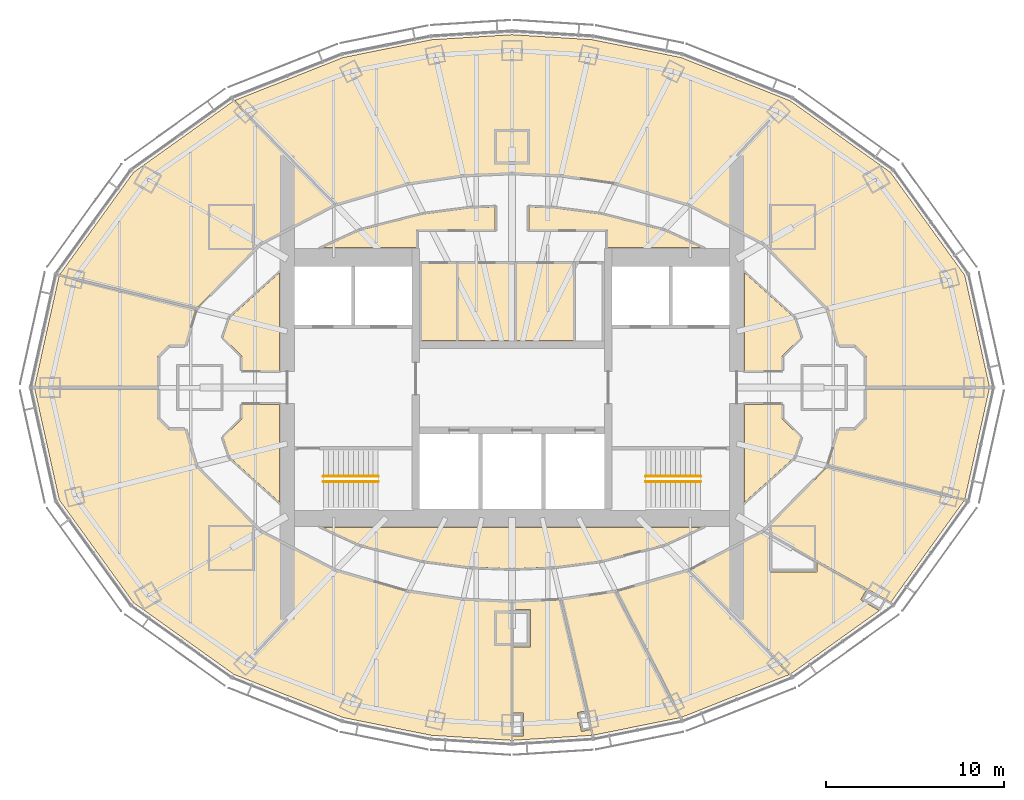
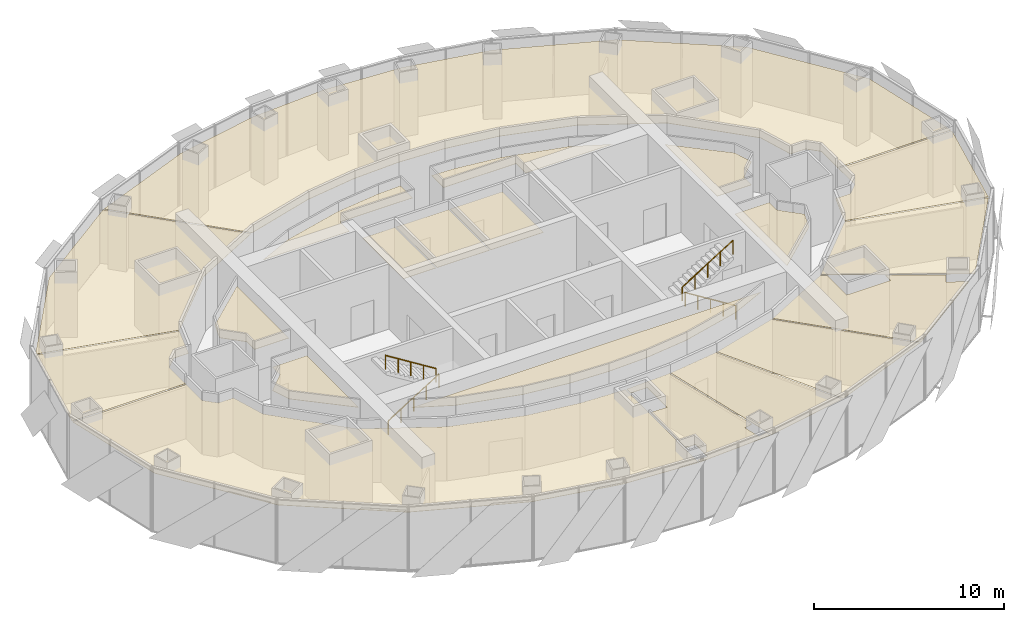
# One storey, part 17 of 17: 20 coverings, 4 railings.
"""IFC4 building model written with IfcOpenShell, lengths in metres."""

from ifc_helpers import new_model, si_unit, direction, frame, origin, origin_2d, place, context, subcontext, project, spatial, polyline, circle, outline, extrude, material, layer, layer_set, type_object, element, save


model = new_model("IFC4")

# Units and contexts
model_context = context("Model", 3, precision=1e-05, world=origin(), true_north=direction((0.0, 1.0)))
body_context = subcontext(model_context, "Body", "Model", "MODEL_VIEW")
ifc_project = project(units=[si_unit("LENGTHUNIT", "METRE"), si_unit("AREAUNIT", "SQUARE_METRE"), si_unit("VOLUMEUNIT", "CUBIC_METRE"), si_unit("PLANEANGLEUNIT", "RADIAN"), si_unit("MASSUNIT", "GRAM", prefix="KILO")], contexts=[model_context])

# Site, building, storey
site_placement = place(None, origin())
site = spatial("IfcSite", under=ifc_project, at=site_placement, CompositionType="ELEMENT")
building_placement = place(site_placement, origin())
building = spatial("IfcBuilding", under=site, at=building_placement, Name="Lantaw Convention Tower", CompositionType="ELEMENT")
storey_placement = place(building_placement, frame((0.0, 0.0, 215.800048828125)))
storey = spatial("IfcBuildingStorey", under=building, at=storey_placement, Name="L50", CompositionType="ELEMENT", Elevation=215.800048828125)

# Railings
ifc_material_1 = material(Name="Stainless steel", Category="steel")
railing_type = type_object("IfcRailingType", Name="Stair handrail", PredefinedType="HANDRAIL", material=ifc_material_1)
railing_1_placement = place(storey_placement, frame((-10.580078125, -5.280029296875, 0.175048828125)))
element("IfcRailing", 1, at=railing_1_placement, inside=storey, type_object=railing_type, Name="Stair handrail S1", PredefinedType="HANDRAIL", context=body_context, shape_type="SweptSolid", body=[
    extrude(circle(Radius=0.02392578125, at=origin_2d()), frame((0.0, 0.0, 0.8759765625), z_axis=(0.848028513186, 0.0, 0.529950602248), x_axis=(0.0, 1.0, 0.0)), (0.0, 0.0, 1.0), 3.632080078125),
    extrude(circle(Radius=0.02099609375, at=origin_2d()), origin(), (0.0, 0.0, 1.0), 0.851806640625),
    extrude(circle(Radius=0.02099609375, at=origin_2d()), frame((0.77001953125, 0.0, 0.481201171875)), (0.0, 0.0, 1.0), 0.851806640625),
    extrude(circle(Radius=0.02099609375, at=origin_2d()), frame((1.5400390625, 0.0, 0.96240234375)), (0.0, 0.0, 1.0), 0.851806640625),
    extrude(circle(Radius=0.02099609375, at=origin_2d()), frame((2.31005859375, 0.0, 1.443603515625)), (0.0, 0.0, 1.0), 0.851806640625),
    extrude(circle(Radius=0.02099609375, at=origin_2d()), frame((3.080078125, 0.0, 1.9248046875)), (0.0, 0.0, 1.0), 0.851806640625),
])
railing_2_placement = place(storey_placement, frame((-7.5, -4.97998046875, 2.27490234375)))
element("IfcRailing", 2, at=railing_2_placement, inside=storey, type_object=railing_type, Name="Stair handrail S1", PredefinedType="HANDRAIL", context=body_context, shape_type="SweptSolid", body=[
    extrude(circle(Radius=0.02392578125, at=origin_2d()), frame((0.0, 0.0, 0.8759765625), z_axis=(-0.847998304005, 0.0, 0.529998940003), x_axis=(0.0, -1.0, 0.0)), (0.0, 0.0, 1.0), 3.632080078125),
    extrude(circle(Radius=0.02099609375, at=origin_2d()), origin(), (0.0, 0.0, 1.0), 0.851806640625),
    extrude(circle(Radius=0.02099609375, at=origin_2d()), frame((-0.77001953125, 0.0, 0.481201171875)), (0.0, 0.0, 1.0), 0.851806640625),
    extrude(circle(Radius=0.02099609375, at=origin_2d()), frame((-1.5400390625, 0.0, 0.96240234375)), (0.0, 0.0, 1.0), 0.851806640625),
    extrude(circle(Radius=0.02099609375, at=origin_2d()), frame((-2.31005859375, 0.0, 1.44384765625)), (0.0, 0.0, 1.0), 0.851806640625),
    extrude(circle(Radius=0.02099609375, at=origin_2d()), frame((-3.080078125, 0.0, 1.925048828125)), (0.0, 0.0, 1.0), 0.851806640625),
])
railing_3_placement = place(storey_placement, frame((10.580078125, -5.280029296875, 0.175048828125)))
element("IfcRailing", 3, at=railing_3_placement, inside=storey, type_object=railing_type, Name="Stair handrail S2", PredefinedType="HANDRAIL", context=body_context, shape_type="SweptSolid", body=[
    extrude(circle(Radius=0.02392578125, at=origin_2d()), frame((0.0, 0.0, 0.8759765625), z_axis=(-0.848028513186, 0.0, 0.529950602248), x_axis=(0.0, -1.0, 0.0)), (0.0, 0.0, 1.0), 3.632080078125),
    extrude(circle(Radius=0.02099609375, at=origin_2d()), origin(), (0.0, 0.0, 1.0), 0.851806640625),
    extrude(circle(Radius=0.02099609375, at=origin_2d()), frame((-0.77001953125, 0.0, 0.481201171875)), (0.0, 0.0, 1.0), 0.851806640625),
    extrude(circle(Radius=0.02099609375, at=origin_2d()), frame((-1.5400390625, 0.0, 0.96240234375)), (0.0, 0.0, 1.0), 0.851806640625),
    extrude(circle(Radius=0.02099609375, at=origin_2d()), frame((-2.31005859375, 0.0, 1.443603515625)), (0.0, 0.0, 1.0), 0.851806640625),
    extrude(circle(Radius=0.02099609375, at=origin_2d()), frame((-3.080078125, 0.0, 1.9248046875)), (0.0, 0.0, 1.0), 0.851806640625),
])
railing_4_placement = place(storey_placement, frame((7.5, -4.97998046875, 2.27490234375)))
element("IfcRailing", 4, at=railing_4_placement, inside=storey, type_object=railing_type, Name="Stair handrail S2", PredefinedType="HANDRAIL", context=body_context, shape_type="SweptSolid", body=[
    extrude(circle(Radius=0.02392578125, at=origin_2d()), frame((0.0, 0.0, 0.8759765625), z_axis=(0.847998304005, 0.0, 0.529998940003), x_axis=(0.0, 1.0, 0.0)), (0.0, 0.0, 1.0), 3.632080078125),
    extrude(circle(Radius=0.02099609375, at=origin_2d()), origin(), (0.0, 0.0, 1.0), 0.851806640625),
    extrude(circle(Radius=0.02099609375, at=origin_2d()), frame((0.77001953125, 0.0, 0.481201171875)), (0.0, 0.0, 1.0), 0.851806640625),
    extrude(circle(Radius=0.02099609375, at=origin_2d()), frame((1.5400390625, 0.0, 0.96240234375)), (0.0, 0.0, 1.0), 0.851806640625),
    extrude(circle(Radius=0.02099609375, at=origin_2d()), frame((2.31005859375, 0.0, 1.44384765625)), (0.0, 0.0, 1.0), 0.851806640625),
    extrude(circle(Radius=0.02099609375, at=origin_2d()), frame((3.080078125, 0.0, 1.925048828125)), (0.0, 0.0, 1.0), 0.851806640625),
])

# Coverings
ifc_material_2 = material(Name="Gypsum board on steel suspension grid", Category="steel")
ifc_layer = layer(ifc_material_2, 0.02001953125)
ifc_layer_set = layer_set([ifc_layer], Name="Suspended ceiling")
covering_type = type_object("IfcCoveringType", Name="Suspended ceiling", PredefinedType="CEILING", material=ifc_layer_set)
covering_1_placement = place(storey_placement, frame((0.0, 0.0, 3.449951171875)))
element("IfcCovering", 5, at=covering_1_placement, inside=storey, type_object=covering_type, Name="Accessible WC ceiling", PredefinedType="CEILING", context=body_context, shape_type="SweptSolid", body=[
    extrude(outline(polyline([(-5.080078125, 2.639892578125), (-3.112060546875, 2.639892578125), (-3.112060546875, 6.9599609375), (-5.080078125, 6.9599609375), (-5.080078125, 2.639892578125)])), origin(), (0.0, 0.0, 1.0), 0.02001953125),
])
covering_2_placement = place(storey_placement, frame((0.0, 0.0, 3.449951171875)))
element("IfcCovering", 6, at=covering_2_placement, inside=storey, type_object=covering_type, Name="Male WC ceiling", PredefinedType="CEILING", context=body_context, shape_type="SweptSolid", body=[
    extrude(outline(polyline([(-3.031982421875, 2.639892578125), (0.164794921875, 2.639892578125), (0.164794921875, 6.9599609375), (-3.031982421875, 6.9599609375), (-3.031982421875, 2.639892578125)])), origin(), (0.0, 0.0, 1.0), 0.02001953125),
])
covering_3_placement = place(storey_placement, frame((0.0, 0.0, 3.449951171875)))
element("IfcCovering", 7, at=covering_3_placement, inside=storey, type_object=covering_type, Name="Female WC ceiling", PredefinedType="CEILING", context=body_context, shape_type="SweptSolid", body=[
    extrude(outline(polyline([(0.244873046875, 2.639892578125), (3.441650390625, 2.639892578125), (3.441650390625, 6.9599609375), (0.244873046875, 6.9599609375), (0.244873046875, 2.639892578125)])), origin(), (0.0, 0.0, 1.0), 0.02001953125),
])
covering_4_placement = place(storey_placement, frame((0.0, 0.0, 3.449951171875)))
element("IfcCovering", 8, at=covering_4_placement, inside=storey, type_object=covering_type, Name="Meeting room ceiling", PredefinedType="CEILING", context=body_context, shape_type="SweptSolid", body=[
    extrude(outline(polyline([(-16.20556640625, -2.80029296875), (-15.821044921875, -3.930419921875), (-13.0400390625, -6.4345703125), (-13.0400390625, -0.93994140625), (-15.135009765625, -0.93994140625), (-15.135009765625, -1.7412109375), (-15.7587890625, -2.364990234375), (-15.77099609375, -2.364990234375), (-16.20556640625, -2.80029296875)])), origin(), (0.0, 0.0, 1.0), 0.02001953125),
])
covering_5_placement = place(storey_placement, frame((0.0, 0.0, 3.449951171875)))
element("IfcCovering", 9, at=covering_5_placement, inside=storey, type_object=covering_type, Name="Project room ceiling", PredefinedType="CEILING", context=body_context, shape_type="SweptSolid", body=[
    extrude(outline(polyline([(10.640380859375, -7.840087890625), (-10.640380859375, -7.840087890625), (-8.5341796875, -8.8134765625), (-4.967529296875, -9.724609375), (-2.32958984375, -10.06591796875), (0.0, -10.159912109375), (2.32958984375, -10.06591796875), (4.967529296875, -9.724609375), (8.5341796875, -8.8134765625), (10.640380859375, -7.840087890625)])), origin(), (0.0, 0.0, 1.0), 0.02001953125),
])
covering_6_placement = place(storey_placement, frame((0.0, 0.0, 3.449951171875)))
element("IfcCovering", 10, at=covering_6_placement, inside=storey, type_object=covering_type, Name="Tenant storage room ceiling", PredefinedType="CEILING", context=body_context, shape_type="SweptSolid", body=[
    extrude(outline(polyline([(15.135009765625, -1.7412109375), (15.135009765625, -0.93994140625), (13.0400390625, -0.93994140625), (13.0400390625, -6.4345703125), (15.821044921875, -3.930419921875), (16.20556640625, -2.80029296875), (15.77099609375, -2.364990234375), (15.7587890625, -2.364990234375), (15.135009765625, -1.7412109375)])), origin(), (0.0, 0.0, 1.0), 0.02001953125),
])
covering_7_placement = place(storey_placement, frame((0.0, 0.0, 3.449951171875)))
element("IfcCovering", 11, at=covering_7_placement, inside=storey, type_object=covering_type, Name="Meeting room ceiling", PredefinedType="CEILING", context=body_context, shape_type="SweptSolid", body=[
    extrude(outline(polyline([(15.77099609375, 2.364990234375), (16.20556640625, 2.80029296875), (15.821044921875, 3.930419921875), (13.0400390625, 6.4345703125), (13.0400390625, 0.93994140625), (15.135009765625, 0.93994140625), (15.135009765625, 1.7412109375), (15.7587890625, 2.364990234375), (15.77099609375, 2.364990234375)])), origin(), (0.0, 0.0, 1.0), 0.02001953125),
])
covering_8_placement = place(storey_placement, frame((0.0, 0.0, 3.449951171875)))
element("IfcCovering", 12, at=covering_8_placement, inside=storey, type_object=covering_type, Name="Copy and print room ceiling", PredefinedType="CEILING", context=body_context, shape_type="SweptSolid", body=[
    extrude(outline(polyline([(5.360107421875, 7.840087890625), (10.640380859375, 7.840087890625), (8.5341796875, 8.8134765625), (4.967529296875, 9.724609375), (2.32958984375, 10.06591796875), (0.93994140625, 10.1220703125), (0.93994140625, 8.840087890625), (5.360107421875, 8.840087890625), (5.360107421875, 7.840087890625)])), origin(), (0.0, 0.0, 1.0), 0.02001953125),
])
covering_9_placement = place(storey_placement, frame((0.0, 0.0, 3.449951171875)))
element("IfcCovering", 13, at=covering_9_placement, inside=storey, type_object=covering_type, Name="Project room ceiling", PredefinedType="CEILING", context=body_context, shape_type="SweptSolid", body=[
    extrude(outline(polyline([(-10.640380859375, 7.840087890625), (-5.360107421875, 7.840087890625), (-5.360107421875, 8.840087890625), (-0.93994140625, 8.840087890625), (-0.93994140625, 10.1220703125), (-2.32958984375, 10.06591796875), (-4.967529296875, 9.724609375), (-8.5341796875, 8.8134765625), (-10.640380859375, 7.840087890625)])), origin(), (0.0, 0.0, 1.0), 0.02001953125),
])
covering_10_placement = place(storey_placement, frame((0.0, 0.0, 3.449951171875)))
element("IfcCovering", 14, at=covering_10_placement, inside=storey, type_object=covering_type, Name="Meeting room ceiling", PredefinedType="CEILING", context=body_context, shape_type="SweptSolid", body=[
    extrude(outline(polyline([(-15.77099609375, 2.364990234375), (-15.7587890625, 2.364990234375), (-15.135009765625, 1.7412109375), (-15.135009765625, 0.93994140625), (-13.0400390625, 0.93994140625), (-13.0400390625, 6.4345703125), (-15.821044921875, 3.930419921875), (-16.20556640625, 2.80029296875), (-15.77099609375, 2.364990234375)])), origin(), (0.0, 0.0, 1.0), 0.02001953125),
])
covering_11_placement = place(storey_placement, frame((0.0, 0.0, 3.449951171875)))
element("IfcCovering", 15, at=covering_11_placement, inside=storey, type_object=covering_type, Name="Open office ceiling", PredefinedType="CEILING", context=body_context, shape_type="SweptSolid", body=[
    extrude(outline(polyline([(17.708251953125, 4.42724609375), (18.329345703125, 2.364990234375), (19.2412109375, 2.364990234375), (19.864990234375, 1.7412109375), (19.864990234375, 0.0400390625), (26.77099609375, 0.0400390625), (25.388916015625, 6.290283203125), (21.224365234375, 12.061767578125), (15.60498046875, 16.076416015625), (9.472900390625, 18.504638671875), (4.523193359375, 19.500244140625), (0.0, 19.78466796875), (-4.523193359375, 19.500244140625), (-9.472900390625, 18.504638671875), (-15.5537109375, 16.0966796875), (-9.88134765625, 10.2900390625), (-5.828857421875, 11.462158203125), (-2.745361328125, 11.914306640625), (0.0, 12.0400390625), (2.745361328125, 11.914306640625), (5.828857421875, 11.462158203125), (9.908203125, 10.2822265625), (14.11328125, 8.08349609375), (17.708251953125, 4.42724609375)])), origin(), (0.0, 0.0, 1.0), 0.02001953125),
])
covering_12_placement = place(storey_placement, frame((0.0, 0.0, 3.449951171875)))
element("IfcCovering", 16, at=covering_12_placement, inside=storey, type_object=covering_type, Name="Boardroom ceiling", PredefinedType="CEILING", context=body_context, shape_type="SweptSolid", body=[
    extrude(outline(polyline([(-9.95947265625, 10.25537109375), (-15.62890625, 16.059326171875), (-21.224365234375, 12.061767578125), (-25.359130859375, 6.331787109375), (-17.685302734375, 4.45068359375), (-14.11328125, 8.08349609375), (-9.95947265625, 10.25537109375)])), origin(), (0.0, 0.0, 1.0), 0.02001953125),
])
covering_13_placement = place(storey_placement, frame((0.0, 0.0, 3.449951171875)))
element("IfcCovering", 17, at=covering_13_placement, inside=storey, type_object=covering_type, Name="Pantry ceiling", PredefinedType="CEILING", context=body_context, shape_type="SweptSolid", body=[
    extrude(outline(polyline([(-18.329345703125, 2.364990234375), (-17.72314453125, 4.37744140625), (-25.39599609375, 6.258544921875), (-26.77099609375, 0.0400390625), (-19.864990234375, 0.0400390625), (-19.864990234375, 1.7412109375), (-19.2412109375, 2.364990234375), (-18.329345703125, 2.364990234375)])), origin(), (0.0, 0.0, 1.0), 0.02001953125),
])
covering_14_placement = place(storey_placement, frame((0.0, 0.0, 3.449951171875)))
element("IfcCovering", 18, at=covering_14_placement, inside=storey, type_object=covering_type, Name="Open office ceiling", PredefinedType="CEILING", context=body_context, shape_type="SweptSolid", body=[
    extrude(outline(polyline([(-17.708251953125, -4.42724609375), (-18.329345703125, -2.364990234375), (-19.2412109375, -2.364990234375), (-19.864990234375, -1.7412109375), (-19.864990234375, -0.0400390625), (-26.77099609375, -0.0400390625), (-25.388916015625, -6.290283203125), (-21.224365234375, -12.061767578125), (-15.60498046875, -16.076416015625), (-9.472900390625, -18.504638671875), (-4.523193359375, -19.500244140625), (-0.0400390625, -19.781982421875), (-0.0400390625, -12.038330078125), (-2.745361328125, -11.914306640625), (-5.828857421875, -11.462158203125), (-9.908203125, -10.2822265625), (-14.11328125, -8.08349609375), (-17.708251953125, -4.42724609375)])), origin(), (0.0, 0.0, 1.0), 0.02001953125),
])
covering_15_placement = place(storey_placement, frame((0.0, 0.0, 3.449951171875)))
element("IfcCovering", 19, at=covering_15_placement, inside=storey, type_object=covering_type, Name="Meeting room ceiling", PredefinedType="CEILING", context=body_context, shape_type="SweptSolid", body=[
    extrude(outline(polyline([(2.7099609375, -11.916015625), (0.0400390625, -12.038330078125), (0.0400390625, -12.4599609375), (1.0400390625, -12.4599609375), (1.0400390625, -14.5400390625), (0.0400390625, -14.5400390625), (0.0400390625, -18.260009765625), (0.639892578125, -18.260009765625), (0.639892578125, -19.5400390625), (0.0400390625, -19.5400390625), (0.0400390625, -19.781982421875), (4.478759765625, -19.5029296875), (4.40185546875, -19.173583984375), (3.899169921875, -19.28955078125), (3.65625, -18.2373046875), (4.15673828125, -18.121826171875), (2.7099609375, -11.916015625)])), origin(), (0.0, 0.0, 1.0), 0.02001953125),
])
covering_16_placement = place(storey_placement, frame((0.0, 0.0, 3.449951171875)))
element("IfcCovering", 20, at=covering_16_placement, inside=storey, type_object=covering_type, Name="Meeting room ceiling", PredefinedType="CEILING", context=body_context, shape_type="SweptSolid", body=[
    extrude(outline(polyline([(2.790283203125, -11.90771484375), (4.55859375, -19.492919921875), (9.42431640625, -18.514404296875), (5.7978515625, -11.466796875), (2.790283203125, -11.90771484375)])), origin(), (0.0, 0.0, 1.0), 0.02001953125),
])
covering_17_placement = place(storey_placement, frame((0.0, 0.0, 3.449951171875)))
element("IfcCovering", 21, at=covering_17_placement, inside=storey, type_object=covering_type, Name="Quiet room ceiling", PredefinedType="CEILING", context=body_context, shape_type="SweptSolid", body=[
    extrude(outline(polyline([(5.878173828125, -11.447998046875), (9.503173828125, -18.49267578125), (15.5537109375, -16.0966796875), (9.88134765625, -10.2900390625), (5.878173828125, -11.447998046875)])), origin(), (0.0, 0.0, 1.0), 0.02001953125),
])
covering_18_placement = place(storey_placement, frame((0.0, 0.0, 3.449951171875)))
element("IfcCovering", 22, at=covering_18_placement, inside=storey, type_object=covering_type, Name="Nap room ceiling", PredefinedType="CEILING", context=body_context, shape_type="SweptSolid", body=[
    extrude(outline(polyline([(14.08837890625, -8.096435546875), (9.95947265625, -10.25537109375), (15.62890625, -16.059326171875), (20.599365234375, -12.50830078125), (19.5498046875, -11.908447265625), (19.866455078125, -11.3544921875), (17.090087890625, -9.788818359375), (17.090087890625, -10.340087890625), (14.409912109375, -10.340087890625), (14.409912109375, -8.27783203125), (14.08837890625, -8.096435546875)])), origin(), (0.0, 0.0, 1.0), 0.02001953125),
])
covering_19_placement = place(storey_placement, frame((0.0, 0.0, 3.449951171875)))
element("IfcCovering", 23, at=covering_19_placement, inside=storey, type_object=covering_type, Name="Wellness room ceiling", PredefinedType="CEILING", context=body_context, shape_type="SweptSolid", body=[
    extrude(outline(polyline([(14.154296875, -8.041748046875), (21.241455078125, -12.0380859375), (25.359130859375, -6.331787109375), (17.685302734375, -4.45068359375), (14.154296875, -8.041748046875)])), origin(), (0.0, 0.0, 1.0), 0.02001953125),
])
covering_20_placement = place(storey_placement, frame((0.0, 0.0, 3.449951171875)))
element("IfcCovering", 24, at=covering_20_placement, inside=storey, type_object=covering_type, Name="Pantry ceiling", PredefinedType="CEILING", context=body_context, shape_type="SweptSolid", body=[
    extrude(outline(polyline([(18.329345703125, -2.364990234375), (17.72314453125, -4.37744140625), (25.39599609375, -6.258544921875), (26.77099609375, -0.0400390625), (19.864990234375, -0.0400390625), (19.864990234375, -1.7412109375), (19.2412109375, -2.364990234375), (18.329345703125, -2.364990234375)])), origin(), (0.0, 0.0, 1.0), 0.02001953125),
])

save(model, "model.ifc")
